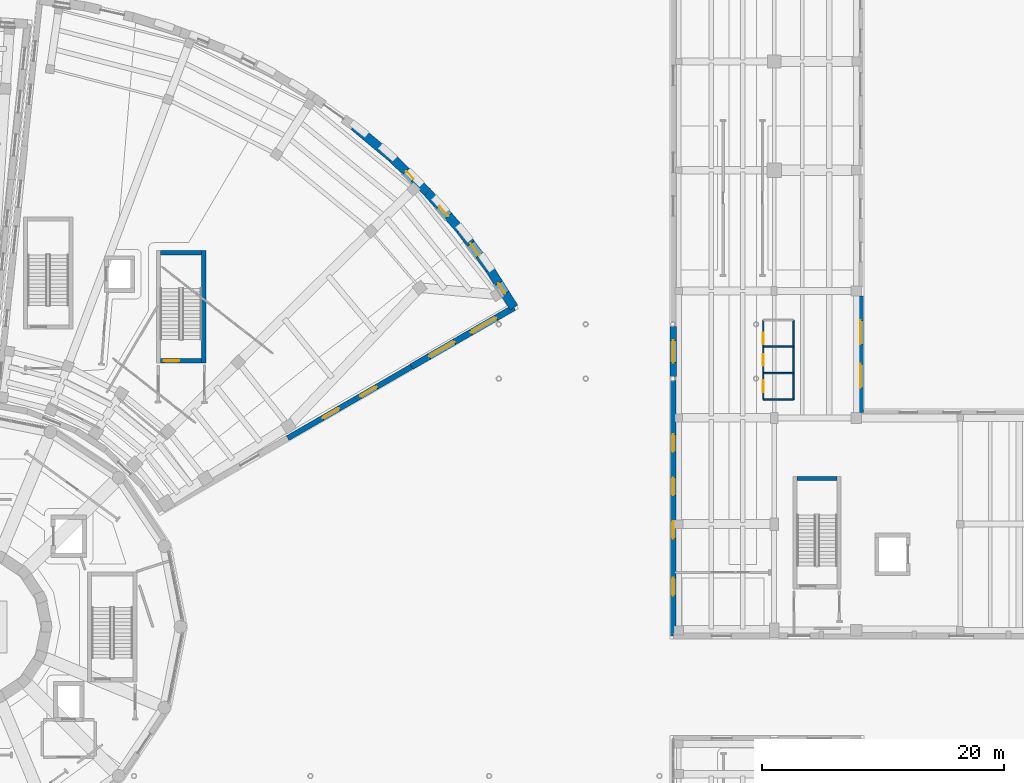
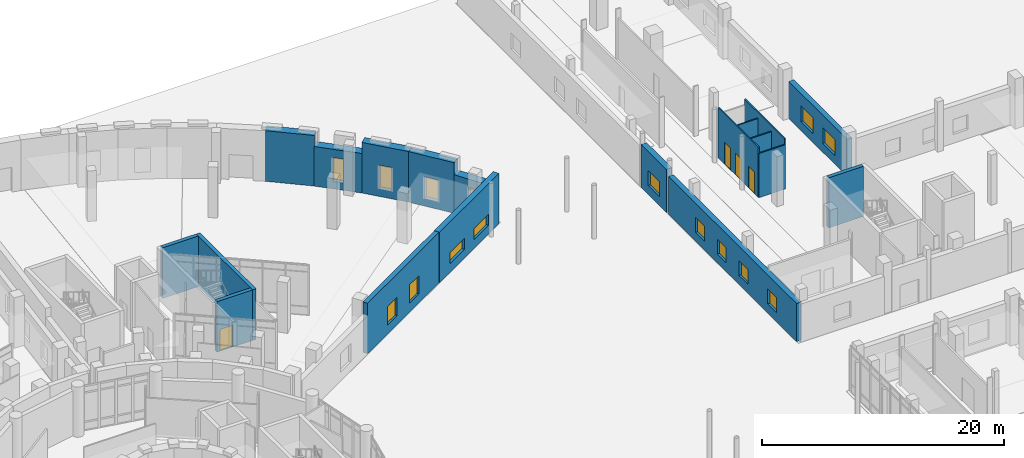
# One storey, part 52 of 74: 19 walls, 15 windows, 4 doors, 19 openings.
"""IFC4 building model written with IfcOpenShell, lengths in metres."""

from ifc_helpers import new_model, si_unit, direction, frame, frame_2d, origin, place, context, subcontext, project, spatial, rectangle, extrude, material, layer, layer_set, type_object, element, fill, save


model = new_model("IFC4")

# Units and contexts
model_context = context("Model", 3, precision=1e-05, world=origin(), true_north=direction((0.0, 1.0)))
body_context = subcontext(model_context, "Body", "Model", "MODEL_VIEW")
ifc_project = project(units=[si_unit("LENGTHUNIT", "METRE"), si_unit("AREAUNIT", "SQUARE_METRE"), si_unit("VOLUMEUNIT", "CUBIC_METRE"), si_unit("PLANEANGLEUNIT", "RADIAN"), si_unit("MASSUNIT", "GRAM", prefix="KILO")], contexts=[model_context])

# Site, building, storey
site_placement = place(None, origin())
site = spatial("IfcSite", under=ifc_project, at=site_placement, CompositionType="ELEMENT")
building_placement = place(site_placement, origin())
building = spatial("IfcBuilding", under=site, at=building_placement, Name="Soyqirgoq Riverine Aquarium", CompositionType="ELEMENT")
storey_placement = place(building_placement, origin())
storey = spatial("IfcBuildingStorey", under=building, at=storey_placement, Name="L01", CompositionType="ELEMENT", Elevation=0.0)

# Walls
ifc_material_1 = material(Name="Concrete C40/50", Category="concrete")
ifc_layer_1 = layer(ifc_material_1, 0.35009765625)
ifc_layer_set_1 = layer_set([ifc_layer_1], Name="Concrete C40/50")
wall_type_1 = type_object("IfcWallType", Name="CoreShearWall_350_C40", PredefinedType="SHEAR", material=ifc_layer_set_1)
wall_1_placement = place(storey_placement, frame((75.375, 78.85009765625, 0.0), z_axis=(0.0, 0.0, 1.0), x_axis=(0.0, 1.0, 0.0)))
element("IfcWall", 1, at=wall_1_placement, inside=storey, type_object=wall_type_1, Name="CORE-5B L01 Stair Core Shear Wall SIDE1", PredefinedType="SHEAR", context=body_context, shape_type="SweptSolid", body=[
    extrude(rectangle(XDim=9.2998046875, YDim=0.35009765625, at=frame_2d((4.64990234375, 0.0))), origin(), (0.0, 0.0, 1.0), 5.10009765625),
])
wall_2_placement = place(storey_placement, frame((75.199951171875, 87.97509765625, 0.0), z_axis=(0.0, 0.0, 1.0), x_axis=(-1.0, 0.0, 0.0)))
element("IfcWall", 2, at=wall_2_placement, inside=storey, type_object=wall_type_1, Name="CORE-5B L01 Stair Core Shear Wall BACK", PredefinedType="SHEAR", context=body_context, shape_type="SweptSolid", body=[
    extrude(rectangle(XDim=3.39990234375, YDim=0.35009765625, at=frame_2d((1.699951171875, 0.0))), origin(), (0.0, 0.0, 1.0), 5.10009765625),
])

# Wall, opening, door
wall_3_placement = place(storey_placement, frame((71.800048828125, 79.02490234375, 0.0), z_axis=(0.0, 0.0, 1.0), x_axis=(1.0, 0.0, 0.0)))
wall_3 = element("IfcWall", 3, at=wall_3_placement, inside=storey, type_object=wall_type_1, Name="CORE-5B L01 Stair Core Shear Wall FRONT", PredefinedType="SHEAR", context=body_context, shape_type="SweptSolid", body=[
    extrude(rectangle(XDim=3.39990234375, YDim=0.35009765625, at=frame_2d((1.699951171875, 0.0))), origin(), (0.0, 0.0, 1.0), 5.10009765625),
])
opening_1_placement = place(wall_3_placement, frame((0.280029296875, 0.0, 0.0)))
opening_1 = element("IfcOpeningElement", 4, at=opening_1_placement, cuts=wall_3, Name="Opening FD-01", PredefinedType="OPENING", context=body_context, shape_type="SweptSolid", body=[
    extrude(rectangle(XDim=1.25, YDim=2.199951171875, at=frame_2d((0.625, 1.10009765625))), frame((0.0, 0.18505859375, 0.0), z_axis=(0.0, -1.0, 0.0), x_axis=(1.0, 0.0, 0.0)), (0.0, 0.0, 1.0), 0.3701171875),
])
ifc_material_2 = material(Name="Galvanised steel fire-resisting stair door", Category="steel")
door_type_1 = type_object("IfcDoorType", Name="StairFireDoor_1250x2200_EI90", OperationType="NOTDEFINED", PredefinedType="DOOR", material=ifc_material_2)
door_1_placement = place(opening_1_placement, origin())
door_1 = element("IfcDoor", 5, at=door_1_placement, inside=storey, type_object=door_type_1, Name="DR-ST-6-L01 ST-6 L01 Fire-Rated Stairwell Door", OperationType="SINGLE_SWING_RIGHT", OverallHeight=2.199951171875, OverallWidth=1.25, PredefinedType="DOOR", context=body_context, shape_type="SweptSolid", body=[
    extrude(rectangle(XDim=1.25, YDim=2.199951171875, at=frame_2d((0.625, 1.10009765625))), frame((0.0, 0.02490234375, 0.0), z_axis=(0.0, -1.0, 0.0), x_axis=(1.0, 0.0, 0.0)), (0.0, 0.0, 1.0), 0.050048828125),
])
fill(opening_1, door_1)

# Wall
wall_4_placement = place(storey_placement, frame((127.800048828125, 69.27490234375, 0.0), z_axis=(0.0, 0.0, 1.0), x_axis=(-1.0, 0.0, 0.0)))
element("IfcWall", 6, at=wall_4_placement, inside=storey, type_object=wall_type_1, Name="CORE-7 L01 Stair Core Shear Wall BACK", PredefinedType="SHEAR", context=body_context, shape_type="SweptSolid", body=[
    extrude(rectangle(XDim=3.300048828125, YDim=0.35009765625, at=frame_2d((1.64990234375, 0.0))), origin(), (0.0, 0.0, 1.0), 5.050048828125),
])

# Wall, openings, doors
ifc_material_3 = material(Name="Moisture-resistant cement-board wet-room partition", Category="gypsum")
ifc_layer_2 = layer(ifc_material_3, 0.125)
ifc_layer_set_2 = layer_set([ifc_layer_2], Name="Moisture-resistant cement-board wet-room partition")
wall_type_2 = type_object("IfcWallType", Name="PartitionWall_125_Wet", PredefinedType="PARTITIONING", material=ifc_layer_set_2)
wall_5_placement = place(storey_placement, frame((121.699951171875, 75.800048828125, 0.0), z_axis=(0.0, 0.0, 1.0), x_axis=(0.0, 1.0, 0.0)))
wall_5 = element("IfcWall", 7, at=wall_5_placement, inside=storey, type_object=wall_type_2, Name="V7 L01 WC Suite Front Wall", PredefinedType="PARTITIONING", context=body_context, shape_type="SweptSolid", body=[
    extrude(rectangle(XDim=6.599853515625, YDim=0.125, at=frame_2d((3.2998046875, 0.0))), origin(), (0.0, 0.0, 1.0), 5.050048828125),
])
opening_2_placement = place(wall_5_placement, frame((0.60009765625, 0.0, 0.0)))
opening_2 = element("IfcOpeningElement", 8, at=opening_2_placement, cuts=wall_5, Name="Opening ID-05", PredefinedType="OPENING", context=body_context, shape_type="SweptSolid", body=[
    extrude(rectangle(XDim=1.0, YDim=2.199951171875, at=frame_2d((0.5, 1.10009765625))), frame((0.0, 0.072509765625, 0.0), z_axis=(0.0, -1.0, 0.0), x_axis=(1.0, 0.0, 0.0)), (0.0, 0.0, 1.0), 0.14501953125),
])
opening_3_placement = place(wall_5_placement, frame((2.824951171875, 0.0, 0.0)))
opening_3 = element("IfcOpeningElement", 9, at=opening_3_placement, cuts=wall_5, Name="Opening ID-06", PredefinedType="OPENING", context=body_context, shape_type="SweptSolid", body=[
    extrude(rectangle(XDim=0.949951171875, YDim=2.199951171875, at=frame_2d((0.47509765625, 1.10009765625))), frame((0.0, 0.072509765625, 0.0), z_axis=(0.0, -1.0, 0.0), x_axis=(1.0, 0.0, 0.0)), (0.0, 0.0, 1.0), 0.14501953125),
])
opening_4_placement = place(wall_5_placement, frame((4.60009765625, 0.0, 0.0)))
opening_4 = element("IfcOpeningElement", 10, at=opening_4_placement, cuts=wall_5, Name="Opening ID-06", PredefinedType="OPENING", context=body_context, shape_type="SweptSolid", body=[
    extrude(rectangle(XDim=0.949951171875, YDim=2.199951171875, at=frame_2d((0.47509765625, 1.10009765625))), frame((0.0, 0.072509765625, 0.0), z_axis=(0.0, -1.0, 0.0), x_axis=(1.0, 0.0, 0.0)), (0.0, 0.0, 1.0), 0.14501953125),
])
ifc_material_4 = material(Name="Moisture-resistant HPL accessible washroom door", Category="wood")
door_type_2 = type_object("IfcDoorType", Name="AccessibleWCDoor_1000x2200", OperationType="NOTDEFINED", PredefinedType="DOOR", material=ifc_material_4)
door_2_placement = place(opening_2_placement, origin())
door_2 = element("IfcDoor", 11, at=door_2_placement, inside=storey, type_object=door_type_2, Name="IDR-V7-L01-0211 Accessible WC Door", OperationType="SINGLE_SWING_LEFT", OverallHeight=2.199951171875, OverallWidth=1.0, PredefinedType="DOOR", context=body_context, shape_type="SweptSolid", body=[
    extrude(rectangle(XDim=1.0, YDim=2.199951171875, at=frame_2d((0.5, 1.10009765625))), frame((0.0, 0.02490234375, 0.0), z_axis=(0.0, -1.0, 0.0), x_axis=(1.0, 0.0, 0.0)), (0.0, 0.0, 1.0), 0.050048828125),
])
fill(opening_2, door_2)
ifc_material_5 = material(Name="Moisture-resistant HPL washroom door", Category="wood")
door_type_3 = type_object("IfcDoorType", Name="WCDoor_950x2200", OperationType="NOTDEFINED", PredefinedType="DOOR", material=ifc_material_5)
door_3_placement = place(opening_3_placement, origin())
door_3 = element("IfcDoor", 12, at=door_3_placement, inside=storey, type_object=door_type_3, Name="IDR-V7-L01-0212 Public Female WC Door", OperationType="SINGLE_SWING_RIGHT", OverallHeight=2.199951171875, OverallWidth=0.949951171875, PredefinedType="DOOR", context=body_context, shape_type="SweptSolid", body=[
    extrude(rectangle(XDim=0.949951171875, YDim=2.199951171875, at=frame_2d((0.47509765625, 1.10009765625))), frame((0.0, 0.02490234375, 0.0), z_axis=(0.0, -1.0, 0.0), x_axis=(1.0, 0.0, 0.0)), (0.0, 0.0, 1.0), 0.050048828125),
])
fill(opening_3, door_3)
door_4_placement = place(opening_4_placement, origin())
door_4 = element("IfcDoor", 13, at=door_4_placement, inside=storey, type_object=door_type_3, Name="IDR-V7-L01-0213 Public Male WC Door", OperationType="SINGLE_SWING_LEFT", OverallHeight=2.199951171875, OverallWidth=0.949951171875, PredefinedType="DOOR", context=body_context, shape_type="SweptSolid", body=[
    extrude(rectangle(XDim=0.949951171875, YDim=2.199951171875, at=frame_2d((0.47509765625, 1.10009765625))), frame((0.0, 0.02490234375, 0.0), z_axis=(0.0, -1.0, 0.0), x_axis=(1.0, 0.0, 0.0)), (0.0, 0.0, 1.0), 0.050048828125),
])
fill(opening_4, door_4)

# Walls
wall_6_placement = place(storey_placement, frame((124.199951171875, 75.800048828125, 0.0), z_axis=(0.0, 0.0, 1.0), x_axis=(0.0, 1.0, 0.0)))
element("IfcWall", 14, at=wall_6_placement, inside=storey, type_object=wall_type_2, Name="V7 L01 WC Suite Back Wall", PredefinedType="PARTITIONING", context=body_context, shape_type="SweptSolid", body=[
    extrude(rectangle(XDim=6.599853515625, YDim=0.125, at=frame_2d((3.2998046875, 0.0))), origin(), (0.0, 0.0, 1.0), 5.050048828125),
])
for number, where, z_axis, x_axis, name in (
    (15, (121.699951171875, 75.800048828125, 0.0), (0.0, 0.0, 1.0), (1.0, 0.0, 0.0), "V7 L01 WC Suite South Wall"),
    (16, (121.699951171875, 78.0, 0.0), (0.0, 0.0, 1.0), (1.0, 0.0, 0.0), "V7 L01 WC Cubicle Divider 1"),
    (17, (121.699951171875, 80.199951171875, 0.0), (0.0, 0.0, 1.0), (1.0, 0.0, 0.0), "V7 L01 WC Cubicle Divider 2"),
):
    element("IfcWall", number, at=place(storey_placement, frame(where, z_axis=z_axis, x_axis=x_axis)), inside=storey, type_object=wall_type_2, Name=name, PredefinedType="PARTITIONING", context=body_context, shape_type="SweptSolid", body=[
        extrude(rectangle(XDim=2.5, YDim=0.125, at=frame_2d((1.25, 0.0))), origin(), (0.0, 0.0, 1.0), 4.449951171875),
    ])

# Wall, openings, windows
ifc_material_6 = material(Name="Honed travertine limestone cavity wall", Category="masonry")
ifc_layer_3 = layer(ifc_material_6, 0.449951171875)
ifc_layer_set_3 = layer_set([ifc_layer_3], Name="Honed travertine limestone cavity wall")
wall_type_3 = type_object("IfcWallType", Name="TravertineCavityWall_450", PredefinedType="SOLIDWALL", material=ifc_layer_set_3)
wall_7_placement = place(storey_placement, frame((92.57373046875, 78.531494140625, 0.0), z_axis=(0.0, 0.0, 1.0), x_axis=(-0.866024649003, -0.500001307318, 0.0)))
wall_7 = element("IfcWall", 18, at=wall_7_placement, inside=storey, type_object=wall_type_3, Name="V5 L01 Exterior Travertine Wall 0257", PredefinedType="SOLIDWALL", context=body_context, shape_type="SweptSolid", body=[
    extrude(rectangle(XDim=11.82275390625, YDim=0.449951171875, at=frame_2d((5.911376953125, 0.0))), origin(), (0.0, 0.0, 1.0), 5.10009765625),
])
opening_5_placement = place(wall_7_placement, frame((3.33642578125, 0.0, 0.89990234375)))
opening_5 = element("IfcOpeningElement", 19, at=opening_5_placement, cuts=wall_7, Name="Opening WN-18", PredefinedType="OPENING", context=body_context, shape_type="SweptSolid", body=[
    extrude(rectangle(XDim=1.550048828125, YDim=1.85009765625, at=frame_2d((0.77490234375, 0.925048828125))), frame((0.0, 0.23486328125, 0.0), z_axis=(0.0, -1.0, 0.0), x_axis=(1.0, 0.0, 0.0)), (0.0, 0.0, 1.0), 0.469970703125),
])
opening_6_placement = place(wall_7_placement, frame((6.936279296875, 0.0, 0.89990234375)))
opening_6 = element("IfcOpeningElement", 20, at=opening_6_placement, cuts=wall_7, Name="Opening WN-18", PredefinedType="OPENING", context=body_context, shape_type="SweptSolid", body=[
    extrude(rectangle(XDim=1.550048828125, YDim=1.85009765625, at=frame_2d((0.77490234375, 0.925048828125))), frame((0.0, 0.23486328125, 0.0), z_axis=(0.0, -1.0, 0.0), x_axis=(1.0, 0.0, 0.0)), (0.0, 0.0, 1.0), 0.469970703125),
])
ifc_material_7 = material(Name="Thermally broken aluminium triple low-E window", Category="aluminium")
window_type_1 = type_object("IfcWindowType", Name="Win_Office_1550x1850", PartitioningType="DOUBLE_PANEL_VERTICAL", PredefinedType="WINDOW", material=ifc_material_7)
window_1_placement = place(opening_5_placement, origin())
window_1 = element("IfcWindow", 21, at=window_1_placement, inside=storey, type_object=window_type_1, Name="V5 L01 Facade Window 0196", OverallHeight=1.85009765625, OverallWidth=1.550048828125, PartitioningType="DOUBLE_PANEL_VERTICAL", PredefinedType="WINDOW", context=body_context, shape_type="SweptSolid", body=[
    extrude(rectangle(XDim=1.550048828125, YDim=1.85009765625, at=frame_2d((0.77490234375, 0.925048828125))), frame((0.0, 0.030029296875, 0.0), z_axis=(0.0, -1.0, 0.0), x_axis=(1.0, 0.0, 0.0)), (0.0, 0.0, 1.0), 0.06005859375),
])
fill(opening_5, window_1)
window_2_placement = place(opening_6_placement, origin())
window_2 = element("IfcWindow", 22, at=window_2_placement, inside=storey, type_object=window_type_1, Name="V5 L01 Facade Window 0197", OverallHeight=1.85009765625, OverallWidth=1.550048828125, PartitioningType="DOUBLE_PANEL_VERTICAL", PredefinedType="WINDOW", context=body_context, shape_type="SweptSolid", body=[
    extrude(rectangle(XDim=1.550048828125, YDim=1.85009765625, at=frame_2d((0.77490234375, 0.925048828125))), frame((0.0, 0.030029296875, 0.0), z_axis=(0.0, -1.0, 0.0), x_axis=(1.0, 0.0, 0.0)), (0.0, 0.0, 1.0), 0.06005859375),
])
fill(opening_6, window_2)

ifc_material_8 = material(Name="Honed travertine limestone cavity wall", Category="masonry")
ifc_layer_4 = layer(ifc_material_8, 0.47998046875)
ifc_layer_set_4 = layer_set([ifc_layer_4], Name="Honed travertine limestone cavity wall")
wall_type_4 = type_object("IfcWallType", Name="TravertineCavityWall_480", PredefinedType="SOLIDWALL", material=ifc_layer_set_4)
wall_8_placement = place(storey_placement, frame((114.25, 56.25, 0.0), z_axis=(0.0, 0.0, 1.0), x_axis=(0.0, 1.0, 0.0)))
wall_8 = element("IfcWall", 23, at=wall_8_placement, inside=storey, type_object=wall_type_4, Name="V7 L01 Exterior Travertine Wall 0363", PredefinedType="SOLIDWALL", context=body_context, shape_type="SweptSolid", body=[
    extrude(rectangle(XDim=21.13427734375, YDim=0.47998046875, at=frame_2d((10.567138671875, 0.0))), origin(), (0.0, 0.0, 1.0), 3.840087890625),
])
opening_7_placement = place(wall_8_placement, frame((3.342041015625, 0.0, 0.89990234375)))
opening_7 = element("IfcOpeningElement", 24, at=opening_7_placement, cuts=wall_8, Name="Opening WN-15", PredefinedType="OPENING", context=body_context, shape_type="SweptSolid", body=[
    extrude(rectangle(XDim=1.449951171875, YDim=1.5, at=frame_2d((0.72509765625, 0.75))), frame((0.0, 0.25, 0.0), z_axis=(0.0, -1.0, 0.0), x_axis=(1.0, 0.0, 0.0)), (0.0, 0.0, 1.0), 0.5),
])
opening_8_placement = place(wall_8_placement, frame((8.0419921875, 0.0, 0.89990234375)))
opening_8 = element("IfcOpeningElement", 25, at=opening_8_placement, cuts=wall_8, Name="Opening WN-15", PredefinedType="OPENING", context=body_context, shape_type="SweptSolid", body=[
    extrude(rectangle(XDim=1.449951171875, YDim=1.5, at=frame_2d((0.72509765625, 0.75))), frame((0.0, 0.25, 0.0), z_axis=(0.0, -1.0, 0.0), x_axis=(1.0, 0.0, 0.0)), (0.0, 0.0, 1.0), 0.5),
])
opening_9_placement = place(wall_8_placement, frame((11.64208984375, 0.0, 0.89990234375)))
opening_9 = element("IfcOpeningElement", 26, at=opening_9_placement, cuts=wall_8, Name="Opening WN-15", PredefinedType="OPENING", context=body_context, shape_type="SweptSolid", body=[
    extrude(rectangle(XDim=1.449951171875, YDim=1.5, at=frame_2d((0.72509765625, 0.75))), frame((0.0, 0.25, 0.0), z_axis=(0.0, -1.0, 0.0), x_axis=(1.0, 0.0, 0.0)), (0.0, 0.0, 1.0), 0.5),
])
opening_10_placement = place(wall_8_placement, frame((15.2421875, 0.0, 0.89990234375)))
opening_10 = element("IfcOpeningElement", 27, at=opening_10_placement, cuts=wall_8, Name="Opening WN-15", PredefinedType="OPENING", context=body_context, shape_type="SweptSolid", body=[
    extrude(rectangle(XDim=1.449951171875, YDim=1.5, at=frame_2d((0.72509765625, 0.75))), frame((0.0, 0.25, 0.0), z_axis=(0.0, -1.0, 0.0), x_axis=(1.0, 0.0, 0.0)), (0.0, 0.0, 1.0), 0.5),
])
ifc_material_9 = material(Name="Thermally broken aluminium triple low-E window", Category="aluminium")
window_type_2 = type_object("IfcWindowType", Name="Win_Lab_1450x1500", PartitioningType="DOUBLE_PANEL_VERTICAL", PredefinedType="WINDOW", material=ifc_material_9)
window_3_placement = place(opening_7_placement, origin())
window_3 = element("IfcWindow", 28, at=window_3_placement, inside=storey, type_object=window_type_2, Name="V7 L01 Facade Window 0303", OverallHeight=1.5, OverallWidth=1.449951171875, PartitioningType="DOUBLE_PANEL_VERTICAL", PredefinedType="WINDOW", context=body_context, shape_type="SweptSolid", body=[
    extrude(rectangle(XDim=1.449951171875, YDim=1.5, at=frame_2d((0.72509765625, 0.75))), frame((0.0, 0.030029296875, 0.0), z_axis=(0.0, -1.0, 0.0), x_axis=(1.0, 0.0, 0.0)), (0.0, 0.0, 1.0), 0.06005859375),
])
fill(opening_7, window_3)
window_4_placement = place(opening_8_placement, origin())
window_4 = element("IfcWindow", 29, at=window_4_placement, inside=storey, type_object=window_type_2, Name="V7 L01 Facade Window 0304", OverallHeight=1.5, OverallWidth=1.449951171875, PartitioningType="DOUBLE_PANEL_VERTICAL", PredefinedType="WINDOW", context=body_context, shape_type="SweptSolid", body=[
    extrude(rectangle(XDim=1.449951171875, YDim=1.5, at=frame_2d((0.72509765625, 0.75))), frame((0.0, 0.030029296875, 0.0), z_axis=(0.0, -1.0, 0.0), x_axis=(1.0, 0.0, 0.0)), (0.0, 0.0, 1.0), 0.06005859375),
])
fill(opening_8, window_4)
window_5_placement = place(opening_9_placement, origin())
window_5 = element("IfcWindow", 30, at=window_5_placement, inside=storey, type_object=window_type_2, Name="V7 L01 Facade Window 0305", OverallHeight=1.5, OverallWidth=1.449951171875, PartitioningType="DOUBLE_PANEL_VERTICAL", PredefinedType="WINDOW", context=body_context, shape_type="SweptSolid", body=[
    extrude(rectangle(XDim=1.449951171875, YDim=1.5, at=frame_2d((0.72509765625, 0.75))), frame((0.0, 0.030029296875, 0.0), z_axis=(0.0, -1.0, 0.0), x_axis=(1.0, 0.0, 0.0)), (0.0, 0.0, 1.0), 0.06005859375),
])
fill(opening_9, window_5)
window_6_placement = place(opening_10_placement, origin())
window_6 = element("IfcWindow", 31, at=window_6_placement, inside=storey, type_object=window_type_2, Name="V7 L01 Facade Window 0306", OverallHeight=1.5, OverallWidth=1.449951171875, PartitioningType="DOUBLE_PANEL_VERTICAL", PredefinedType="WINDOW", context=body_context, shape_type="SweptSolid", body=[
    extrude(rectangle(XDim=1.449951171875, YDim=1.5, at=frame_2d((0.72509765625, 0.75))), frame((0.0, 0.030029296875, 0.0), z_axis=(0.0, -1.0, 0.0), x_axis=(1.0, 0.0, 0.0)), (0.0, 0.0, 1.0), 0.06005859375),
])
fill(opening_10, window_6)

wall_9_placement = place(storey_placement, frame((129.75, 84.405029296875, 0.0), z_axis=(0.0, 0.0, 1.0), x_axis=(0.0, -1.0, 0.0)))
wall_9 = element("IfcWall", 32, at=wall_9_placement, inside=storey, type_object=wall_type_4, Name="V7 L01 Exterior Travertine Wall 0370", PredefinedType="SOLIDWALL", context=body_context, shape_type="SweptSolid", body=[
    extrude(rectangle(XDim=9.655029296875, YDim=0.47998046875, at=frame_2d((4.82763671875, 0.0))), origin(), (0.0, 0.0, 1.0), 3.739990234375),
])
opening_11_placement = place(wall_9_placement, frame((2.027587890625, 0.0, 0.89990234375)))
opening_11 = element("IfcOpeningElement", 33, at=opening_11_placement, cuts=wall_9, Name="Opening WN-07", PredefinedType="OPENING", context=body_context, shape_type="SweptSolid", body=[
    extrude(rectangle(XDim=2.0, YDim=1.60009765625, at=frame_2d((1.0, 0.800048828125))), frame((0.0, 0.25, 0.0), z_axis=(0.0, -1.0, 0.0), x_axis=(1.0, 0.0, 0.0)), (0.0, 0.0, 1.0), 0.5),
])
opening_12_placement = place(wall_9_placement, frame((5.62744140625, 0.0, 0.89990234375)))
opening_12 = element("IfcOpeningElement", 34, at=opening_12_placement, cuts=wall_9, Name="Opening WN-07", PredefinedType="OPENING", context=body_context, shape_type="SweptSolid", body=[
    extrude(rectangle(XDim=2.0, YDim=1.60009765625, at=frame_2d((1.0, 0.800048828125))), frame((0.0, 0.25, 0.0), z_axis=(0.0, -1.0, 0.0), x_axis=(1.0, 0.0, 0.0)), (0.0, 0.0, 1.0), 0.5),
])
ifc_material_10 = material(Name="Thermally broken aluminium triple low-E window", Category="aluminium")
window_type_3 = type_object("IfcWindowType", Name="Win_Lab_2000x1600", PartitioningType="TRIPLE_PANEL_VERTICAL", PredefinedType="WINDOW", material=ifc_material_10)
window_7_placement = place(opening_11_placement, origin())
window_7 = element("IfcWindow", 35, at=window_7_placement, inside=storey, type_object=window_type_3, Name="V7 L01 Facade Window 0319", OverallHeight=1.60009765625, OverallWidth=2.0, PartitioningType="TRIPLE_PANEL_VERTICAL", PredefinedType="WINDOW", context=body_context, shape_type="SweptSolid", body=[
    extrude(rectangle(XDim=2.0, YDim=1.60009765625, at=frame_2d((1.0, 0.800048828125))), frame((0.0, 0.030029296875, 0.0), z_axis=(0.0, -1.0, 0.0), x_axis=(1.0, 0.0, 0.0)), (0.0, 0.0, 1.0), 0.06005859375),
])
fill(opening_11, window_7)
window_8_placement = place(opening_12_placement, origin())
window_8 = element("IfcWindow", 36, at=window_8_placement, inside=storey, type_object=window_type_3, Name="V7 L01 Facade Window 0320", OverallHeight=1.60009765625, OverallWidth=2.0, PartitioningType="TRIPLE_PANEL_VERTICAL", PredefinedType="WINDOW", context=body_context, shape_type="SweptSolid", body=[
    extrude(rectangle(XDim=2.0, YDim=1.60009765625, at=frame_2d((1.0, 0.800048828125))), frame((0.0, 0.030029296875, 0.0), z_axis=(0.0, -1.0, 0.0), x_axis=(1.0, 0.0, 0.0)), (0.0, 0.0, 1.0), 0.06005859375),
])
fill(opening_12, window_8)

ifc_material_11 = material(Name="Honed travertine limestone cavity wall", Category="masonry")
ifc_layer_5 = layer(ifc_material_11, 0.52001953125)
ifc_layer_set_5 = layer_set([ifc_layer_5], Name="Honed travertine limestone cavity wall")
wall_type_5 = type_object("IfcWallType", Name="TravertineCavityWall_520", PredefinedType="SOLIDWALL", material=ifc_layer_set_5)
wall_10_placement = place(storey_placement, frame((101.057373046875, 83.4296875, 0.0), z_axis=(0.0, 0.0, 1.0), x_axis=(-0.866018329855, -0.500012252205, 0.0)))
wall_10 = element("IfcWall", 37, at=wall_10_placement, inside=storey, type_object=wall_type_5, Name="V5 L01 Exterior Travertine Wall 0256", PredefinedType="SOLIDWALL", context=body_context, shape_type="SweptSolid", body=[
    extrude(rectangle(XDim=9.796142578125, YDim=0.52001953125, at=frame_2d((4.89794921875, 0.0))), origin(), (0.0, 0.0, 1.0), 5.10009765625),
])
opening_13_placement = place(wall_10_placement, frame((1.697998046875, 0.0, 0.89990234375)))
opening_13 = element("IfcOpeningElement", 38, at=opening_13_placement, cuts=wall_10, Name="Opening WN-10", PredefinedType="OPENING", context=body_context, shape_type="SweptSolid", body=[
    extrude(rectangle(XDim=2.39990234375, YDim=1.10009765625, at=frame_2d((1.199951171875, 0.550048828125))), frame((0.0, 0.27001953125, 0.0), z_axis=(0.0, -1.0, 0.0), x_axis=(1.0, 0.0, 0.0)), (0.0, 0.0, 1.0), 0.5400390625),
])
opening_14_placement = place(wall_10_placement, frame((5.697998046875, 0.0, 0.89990234375)))
opening_14 = element("IfcOpeningElement", 39, at=opening_14_placement, cuts=wall_10, Name="Opening WN-10", PredefinedType="OPENING", context=body_context, shape_type="SweptSolid", body=[
    extrude(rectangle(XDim=2.39990234375, YDim=1.10009765625, at=frame_2d((1.199951171875, 0.550048828125))), frame((0.0, 0.27001953125, 0.0), z_axis=(0.0, -1.0, 0.0), x_axis=(1.0, 0.0, 0.0)), (0.0, 0.0, 1.0), 0.5400390625),
])
ifc_material_12 = material(Name="Thermally broken aluminium triple low-E window", Category="aluminium")
window_type_4 = type_object("IfcWindowType", Name="Win_Clerestory_2400x1100", PartitioningType="DOUBLE_PANEL_HORIZONTAL", PredefinedType="LIGHTDOME", material=ifc_material_12)
window_9_placement = place(opening_13_placement, origin())
window_9 = element("IfcWindow", 40, at=window_9_placement, inside=storey, type_object=window_type_4, Name="V5 L01 Facade Window 0194", OverallHeight=1.10009765625, OverallWidth=2.39990234375, PartitioningType="DOUBLE_PANEL_HORIZONTAL", PredefinedType="LIGHTDOME", context=body_context, shape_type="SweptSolid", body=[
    extrude(rectangle(XDim=2.39990234375, YDim=1.10009765625, at=frame_2d((1.199951171875, 0.550048828125))), frame((0.0, 0.030029296875, 0.0), z_axis=(0.0, -1.0, 0.0), x_axis=(1.0, 0.0, 0.0)), (0.0, 0.0, 1.0), 0.06005859375),
])
fill(opening_13, window_9)
window_10_placement = place(opening_14_placement, origin())
window_10 = element("IfcWindow", 41, at=window_10_placement, inside=storey, type_object=window_type_4, Name="V5 L01 Facade Window 0195", OverallHeight=1.10009765625, OverallWidth=2.39990234375, PartitioningType="DOUBLE_PANEL_HORIZONTAL", PredefinedType="LIGHTDOME", context=body_context, shape_type="SweptSolid", body=[
    extrude(rectangle(XDim=2.39990234375, YDim=1.10009765625, at=frame_2d((1.199951171875, 0.550048828125))), frame((0.0, 0.030029296875, 0.0), z_axis=(0.0, -1.0, 0.0), x_axis=(1.0, 0.0, 0.0)), (0.0, 0.0, 1.0), 0.06005859375),
])
fill(opening_14, window_10)

# Wall, opening, window
wall_11_placement = place(storey_placement, frame((114.25, 77.7158203125, 0.0), z_axis=(0.0, 0.0, 1.0), x_axis=(0.0, 1.0, 0.0)))
wall_11 = element("IfcWall", 42, at=wall_11_placement, inside=storey, type_object=wall_type_5, Name="V7 L01 Exterior Travertine Wall 0364", PredefinedType="SOLIDWALL", context=body_context, shape_type="SweptSolid", body=[
    extrude(rectangle(XDim=4.16845703125, YDim=0.52001953125, at=frame_2d((2.084228515625, 0.0))), origin(), (0.0, 0.0, 1.0), 4.340087890625),
])
opening_15_placement = place(wall_11_placement, frame((1.1591796875, 0.0, 0.89990234375)))
opening_15 = element("IfcOpeningElement", 43, at=opening_15_placement, cuts=wall_11, Name="Opening WN-16", PredefinedType="OPENING", context=body_context, shape_type="SweptSolid", body=[
    extrude(rectangle(XDim=1.85009765625, YDim=1.5, at=frame_2d((0.925048828125, 0.75))), frame((0.0, 0.27001953125, 0.0), z_axis=(0.0, -1.0, 0.0), x_axis=(1.0, 0.0, 0.0)), (0.0, 0.0, 1.0), 0.5400390625),
])
ifc_material_13 = material(Name="Thermally broken aluminium triple low-E window", Category="aluminium")
window_type_5 = type_object("IfcWindowType", Name="Win_Lab_1850x1500", PartitioningType="DOUBLE_PANEL_VERTICAL", PredefinedType="WINDOW", material=ifc_material_13)
window_11_placement = place(opening_15_placement, origin())
window_11 = element("IfcWindow", 44, at=window_11_placement, inside=storey, type_object=window_type_5, Name="V7 L01 Facade Window 0307", OverallHeight=1.5, OverallWidth=1.85009765625, PartitioningType="DOUBLE_PANEL_VERTICAL", PredefinedType="WINDOW", context=body_context, shape_type="SweptSolid", body=[
    extrude(rectangle(XDim=1.85009765625, YDim=1.5, at=frame_2d((0.925048828125, 0.75))), frame((0.0, 0.030029296875, 0.0), z_axis=(0.0, -1.0, 0.0), x_axis=(1.0, 0.0, 0.0)), (0.0, 0.0, 1.0), 0.06005859375),
])
fill(opening_15, window_11)

# Wall
ifc_material_14 = material(Name="Honed travertine limestone cavity wall", Category="masonry")
ifc_layer_6 = layer(ifc_material_14, 0.75)
ifc_layer_set_6 = layer_set([ifc_layer_6], Name="Honed travertine limestone cavity wall")
wall_type_6 = type_object("IfcWallType", Name="TravertineNicheWall_750", PredefinedType="SOLIDWALL", material=ifc_layer_set_6)
wall_12_placement = place(storey_placement, frame((87.8076171875, 98.45263671875, 0.0), z_axis=(0.0, 0.0, 1.0), x_axis=(0.768825758313, -0.639458328083, 0.0)))
element("IfcWall", 45, at=wall_12_placement, inside=storey, type_object=wall_type_6, Name="V5 L01 Exterior Travertine Wall 0251", PredefinedType="SOLIDWALL", context=body_context, shape_type="SweptSolid", body=[
    extrude(rectangle(XDim=4.102783203125, YDim=0.75, at=frame_2d((2.05126953125, 0.0))), origin(), (0.0, 0.0, 1.0), 5.10009765625),
])

# Wall, opening, window
wall_13_placement = place(storey_placement, frame((90.9619140625, 95.8291015625, 0.0), z_axis=(0.0, 0.0, 1.0), x_axis=(0.716299749967, -0.697792711482, 0.0)))
wall_13 = element("IfcWall", 46, at=wall_13_placement, inside=storey, type_object=wall_type_6, Name="V5 L01 Exterior Travertine Wall 0252", PredefinedType="SOLIDWALL", context=body_context, shape_type="SweptSolid", body=[
    extrude(rectangle(XDim=4.1025390625, YDim=0.75, at=frame_2d((2.05126953125, 0.0))), origin(), (0.0, 0.0, 1.0), 3.989990234375),
])
opening_16_placement = place(wall_13_placement, frame((1.601318359375, 0.0, 0.75)))
opening_16 = element("IfcOpeningElement", 47, at=opening_16_placement, cuts=wall_13, Name="Opening WN-01", PredefinedType="OPENING", context=body_context, shape_type="SweptSolid", body=[
    extrude(rectangle(XDim=0.89990234375, YDim=2.39990234375, at=frame_2d((0.449951171875, 1.199951171875))), frame((0.0, 0.385009765625, 0.0), z_axis=(0.0, -1.0, 0.0), x_axis=(1.0, 0.0, 0.0)), (0.0, 0.0, 1.0), 0.77001953125),
])
ifc_material_15 = material(Name="Thermally broken aluminium triple low-E window", Category="aluminium")
window_type_6 = type_object("IfcWindowType", Name="Win_Niche_900x2400", PartitioningType="SINGLE_PANEL", PredefinedType="WINDOW", material=ifc_material_15)
window_12_placement = place(opening_16_placement, origin())
window_12 = element("IfcWindow", 48, at=window_12_placement, inside=storey, type_object=window_type_6, Name="V5 L01 Facade Window 0190", OverallHeight=2.39990234375, OverallWidth=0.89990234375, PartitioningType="SINGLE_PANEL", PredefinedType="WINDOW", context=body_context, shape_type="SweptSolid", body=[
    extrude(rectangle(XDim=0.89990234375, YDim=2.39990234375, at=frame_2d((0.449951171875, 1.199951171875))), frame((0.0, 0.030029296875, 0.0), z_axis=(0.0, -1.0, 0.0), x_axis=(1.0, 0.0, 0.0)), (0.0, 0.0, 1.0), 0.06005859375),
])
fill(opening_16, window_12)

wall_14_placement = place(storey_placement, frame((93.900634765625, 92.96630859375, 0.0), z_axis=(0.0, 0.0, 1.0), x_axis=(0.659355212384, -0.751831566178, 0.0)))
wall_14 = element("IfcWall", 49, at=wall_14_placement, inside=storey, type_object=wall_type_6, Name="V5 L01 Exterior Travertine Wall 0253", PredefinedType="SOLIDWALL", context=body_context, shape_type="SweptSolid", body=[
    extrude(rectangle(XDim=4.1025390625, YDim=0.75, at=frame_2d((2.05126953125, 0.0))), origin(), (0.0, 0.0, 1.0), 5.10009765625),
])
opening_17_placement = place(wall_14_placement, frame((1.50146484375, 0.0, 0.75)))
opening_17 = element("IfcOpeningElement", 50, at=opening_17_placement, cuts=wall_14, Name="Opening WN-02", PredefinedType="OPENING", context=body_context, shape_type="SweptSolid", body=[
    extrude(rectangle(XDim=1.10009765625, YDim=2.39990234375, at=frame_2d((0.550048828125, 1.199951171875))), frame((0.0, 0.385009765625, 0.0), z_axis=(0.0, -1.0, 0.0), x_axis=(1.0, 0.0, 0.0)), (0.0, 0.0, 1.0), 0.77001953125),
])
ifc_material_16 = material(Name="Thermally broken aluminium triple low-E window", Category="aluminium")
window_type_7 = type_object("IfcWindowType", Name="Win_Niche_1100x2400", PartitioningType="SINGLE_PANEL", PredefinedType="WINDOW", material=ifc_material_16)
window_13_placement = place(opening_17_placement, origin())
window_13 = element("IfcWindow", 51, at=window_13_placement, inside=storey, type_object=window_type_7, Name="V5 L01 Facade Window 0191", OverallHeight=2.39990234375, OverallWidth=1.10009765625, PartitioningType="SINGLE_PANEL", PredefinedType="WINDOW", context=body_context, shape_type="SweptSolid", body=[
    extrude(rectangle(XDim=1.10009765625, YDim=2.39990234375, at=frame_2d((0.550048828125, 1.199951171875))), frame((0.0, 0.030029296875, 0.0), z_axis=(0.0, -1.0, 0.0), x_axis=(1.0, 0.0, 0.0)), (0.0, 0.0, 1.0), 0.06005859375),
])
fill(opening_17, window_13)

wall_15_placement = place(storey_placement, frame((96.605712890625, 89.8818359375, 0.0), z_axis=(0.0, 0.0, 1.0), x_axis=(0.598294326762, -0.801276418326, 0.0)))
wall_15 = element("IfcWall", 52, at=wall_15_placement, inside=storey, type_object=wall_type_6, Name="V5 L01 Exterior Travertine Wall 0254", PredefinedType="SOLIDWALL", context=body_context, shape_type="SweptSolid", body=[
    extrude(rectangle(XDim=4.1025390625, YDim=0.75, at=frame_2d((2.05126953125, 0.0))), origin(), (0.0, 0.0, 1.0), 5.10009765625),
])
opening_18_placement = place(wall_15_placement, frame((1.451416015625, 0.0, 0.75)))
opening_18 = element("IfcOpeningElement", 53, at=opening_18_placement, cuts=wall_15, Name="Opening WN-03", PredefinedType="OPENING", context=body_context, shape_type="SweptSolid", body=[
    extrude(rectangle(XDim=1.199951171875, YDim=2.199951171875, at=frame_2d((0.60009765625, 1.10009765625))), frame((0.0, 0.385009765625, 0.0), z_axis=(0.0, -1.0, 0.0), x_axis=(1.0, 0.0, 0.0)), (0.0, 0.0, 1.0), 0.77001953125),
])
ifc_material_17 = material(Name="Thermally broken aluminium triple low-E window", Category="aluminium")
window_type_8 = type_object("IfcWindowType", Name="Win_Niche_1200x2200", PartitioningType="DOUBLE_PANEL_VERTICAL", PredefinedType="WINDOW", material=ifc_material_17)
window_14_placement = place(opening_18_placement, origin())
window_14 = element("IfcWindow", 54, at=window_14_placement, inside=storey, type_object=window_type_8, Name="V5 L01 Facade Window 0192", OverallHeight=2.199951171875, OverallWidth=1.199951171875, PartitioningType="DOUBLE_PANEL_VERTICAL", PredefinedType="WINDOW", context=body_context, shape_type="SweptSolid", body=[
    extrude(rectangle(XDim=1.199951171875, YDim=2.199951171875, at=frame_2d((0.60009765625, 1.10009765625))), frame((0.0, 0.030029296875, 0.0), z_axis=(0.0, -1.0, 0.0), x_axis=(1.0, 0.0, 0.0)), (0.0, 0.0, 1.0), 0.06005859375),
])
fill(opening_18, window_14)

wall_16_placement = place(storey_placement, frame((99.060302734375, 86.594482421875, 0.0), z_axis=(0.0, 0.0, 1.0), x_axis=(0.533659130214, -0.845699670533, 0.0)))
wall_16 = element("IfcWall", 55, at=wall_16_placement, inside=storey, type_object=wall_type_6, Name="V5 L01 Exterior Travertine Wall 0255", PredefinedType="SOLIDWALL", context=body_context, shape_type="SweptSolid", body=[
    extrude(rectangle(XDim=3.7421875, YDim=0.75, at=frame_2d((1.87109375, 0.0))), origin(), (0.0, 0.0, 1.0), 3.889892578125),
])
opening_19_placement = place(wall_16_placement, frame((1.37109375, 0.0, 0.75)))
opening_19 = element("IfcOpeningElement", 56, at=opening_19_placement, cuts=wall_16, Name="Opening WN-11", PredefinedType="OPENING", context=body_context, shape_type="SweptSolid", body=[
    extrude(rectangle(XDim=1.0, YDim=2.300048828125, at=frame_2d((0.5, 1.14990234375))), frame((0.0, 0.385009765625, 0.0), z_axis=(0.0, -1.0, 0.0), x_axis=(1.0, 0.0, 0.0)), (0.0, 0.0, 1.0), 0.77001953125),
])
ifc_material_18 = material(Name="Thermally broken aluminium triple low-E window", Category="aluminium")
window_type_9 = type_object("IfcWindowType", Name="Win_Niche_1000x2300", PartitioningType="SINGLE_PANEL", PredefinedType="WINDOW", material=ifc_material_18)
window_15_placement = place(opening_19_placement, origin())
window_15 = element("IfcWindow", 57, at=window_15_placement, inside=storey, type_object=window_type_9, Name="V5 L01 Facade Window 0193", OverallHeight=2.300048828125, OverallWidth=1.0, PartitioningType="SINGLE_PANEL", PredefinedType="WINDOW", context=body_context, shape_type="SweptSolid", body=[
    extrude(rectangle(XDim=1.0, YDim=2.300048828125, at=frame_2d((0.5, 1.14990234375))), frame((0.0, 0.030029296875, 0.0), z_axis=(0.0, -1.0, 0.0), x_axis=(1.0, 0.0, 0.0)), (0.0, 0.0, 1.0), 0.06005859375),
])
fill(opening_19, window_15)

save(model, "model.ifc")
